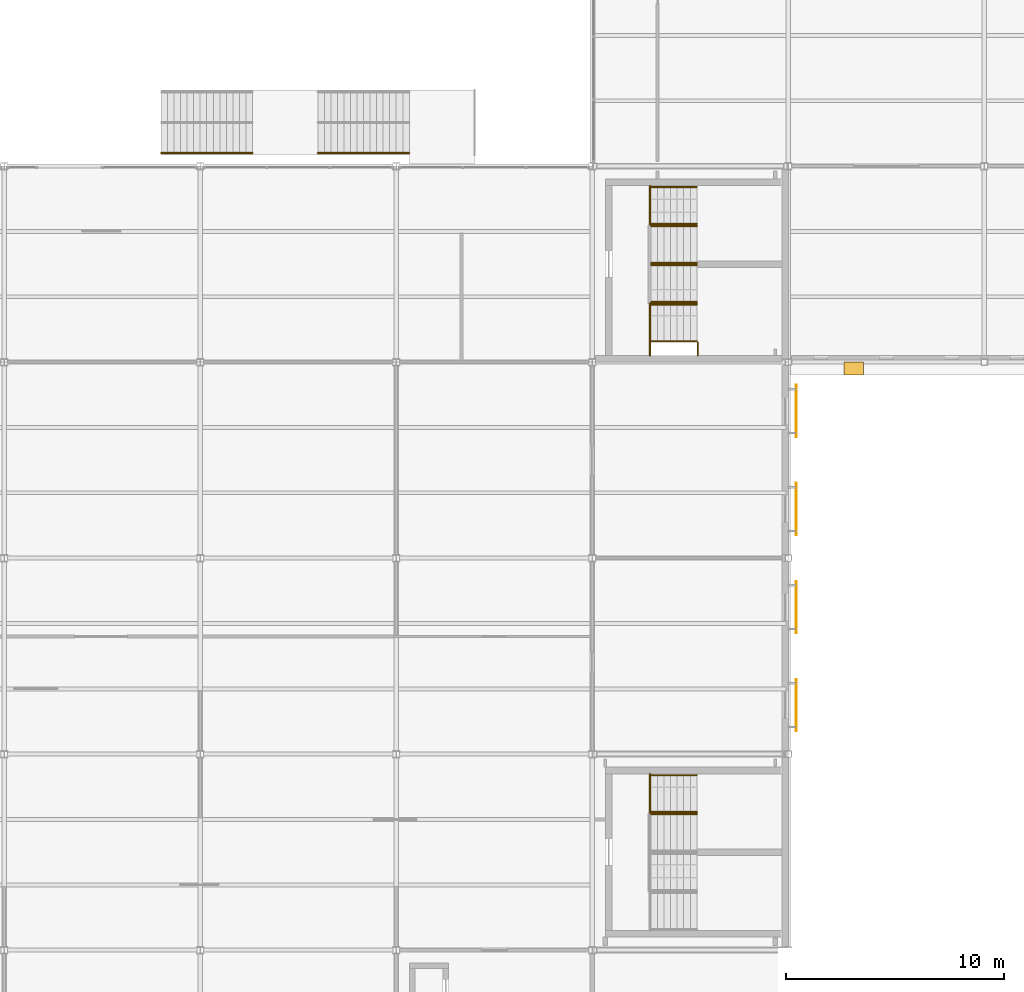
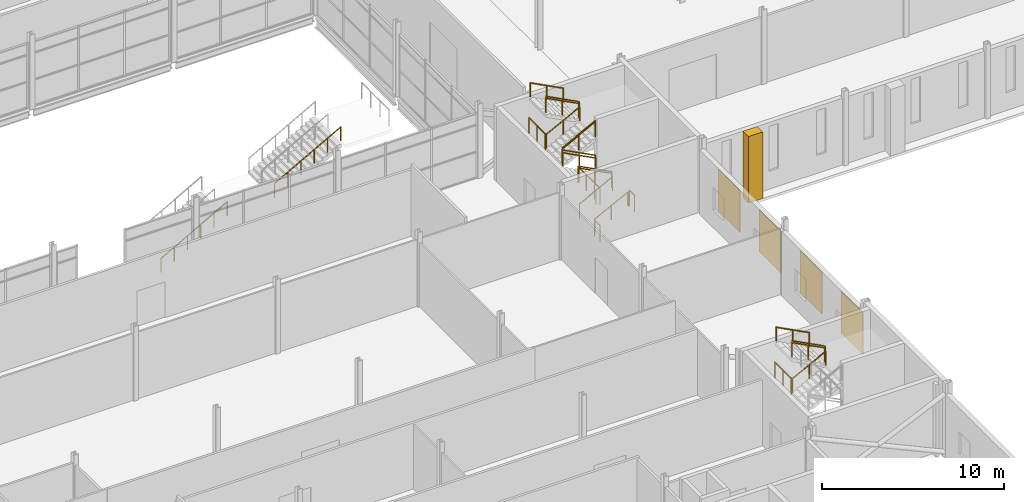
# One storey, part 108 of 112: 24 railings, 5 shading devices.
"""IFC4 building model written with IfcOpenShell, lengths in metres."""

from ifc_helpers import new_model, si_unit, direction, frame, origin, origin_2d, place, context, subcontext, project, spatial, rectangle, circle, extrude, material, layer, layer_set, type_object, element, save


model = new_model("IFC4")

# Units and contexts
model_context = context("Model", 3, precision=1e-05, world=origin(), true_north=direction((0.0, 1.0)))
body_context = subcontext(model_context, "Body", "Model", "MODEL_VIEW")
ifc_project = project(units=[si_unit("LENGTHUNIT", "METRE"), si_unit("AREAUNIT", "SQUARE_METRE"), si_unit("VOLUMEUNIT", "CUBIC_METRE"), si_unit("PLANEANGLEUNIT", "RADIAN"), si_unit("MASSUNIT", "GRAM", prefix="KILO")], contexts=[model_context])

# Site, building, storey
site_placement = place(None, origin())
site = spatial("IfcSite", under=ifc_project, at=site_placement, CompositionType="ELEMENT")
building_placement = place(site_placement, origin())
building = spatial("IfcBuilding", under=site, at=building_placement, Name="Shorebreak Coast Museum", CompositionType="ELEMENT")
storey_placement = place(building_placement, frame((0.0, 0.0, 6.0)))
storey = spatial("IfcBuildingStorey", under=building, at=storey_placement, Name="L01", CompositionType="ELEMENT", Elevation=6.0)

# Railings
ifc_material_1 = material(Name="Steel Grade 300", Category="steel")
railing_type_1 = type_object("IfcRailingType", Name="Feature stair handrail 950", PredefinedType="HANDRAIL", material=ifc_material_1)
railing_1_placement = place(storey_placement, frame((88.199951171875, 63.60009765625, 0.166748046875)))
element("IfcRailing", 1, at=railing_1_placement, inside=storey, type_object=railing_type_1, Name="Handrail feature stair flight 3S", PredefinedType="HANDRAIL", context=body_context, shape_type="SweptSolid", body=[
    extrude(circle(Radius=0.02490234375, at=origin_2d()), frame((0.0, 0.0, 0.9248046875), z_axis=(0.874162069901, 0.0, 0.485634302275), x_axis=(0.0, 1.0, 0.0)), (0.0, 0.0, 1.0), 4.804443359375),
    extrude(circle(Radius=0.02001953125, at=origin_2d()), origin(), (0.0, 0.0, 1.0), 0.89990234375),
    extrude(circle(Radius=0.02001953125, at=origin_2d()), frame((0.840087890625, 0.0, 0.466552734375)), (0.0, 0.0, 1.0), 0.89990234375),
    extrude(circle(Radius=0.02001953125, at=origin_2d()), frame((1.679931640625, 0.0, 0.933349609375)), (0.0, 0.0, 1.0), 0.89990234375),
    extrude(circle(Radius=0.02001953125, at=origin_2d()), frame((2.52001953125, 0.0, 1.39990234375)), (0.0, 0.0, 1.0), 0.89990234375),
    extrude(circle(Radius=0.02001953125, at=origin_2d()), frame((3.35986328125, 0.0, 1.86669921875)), (0.0, 0.0, 1.0), 0.89990234375),
    extrude(circle(Radius=0.02001953125, at=origin_2d()), frame((4.199951171875, 0.0, 2.333251953125)), (0.0, 0.0, 1.0), 0.89990234375),
])
railing_2_placement = place(storey_placement, frame((95.39990234375, 63.60009765625, 2.666748046875)))
element("IfcRailing", 2, at=railing_2_placement, inside=storey, type_object=railing_type_1, Name="Handrail feature stair flight 4S", PredefinedType="HANDRAIL", context=body_context, shape_type="SweptSolid", body=[
    extrude(circle(Radius=0.02490234375, at=origin_2d()), frame((0.0, 0.0, 0.9248046875), z_axis=(0.874174053232, 0.0, 0.485612731152), x_axis=(0.0, 1.0, 0.0)), (0.0, 0.0, 1.0), 4.8046875),
    extrude(circle(Radius=0.02001953125, at=origin_2d()), origin(), (0.0, 0.0, 1.0), 0.89990234375),
    extrude(circle(Radius=0.02001953125, at=origin_2d()), frame((0.840087890625, 0.0, 0.466552734375)), (0.0, 0.0, 1.0), 0.89990234375),
    extrude(circle(Radius=0.02001953125, at=origin_2d()), frame((1.68017578125, 0.0, 0.933349609375)), (0.0, 0.0, 1.0), 0.89990234375),
    extrude(circle(Radius=0.02001953125, at=origin_2d()), frame((2.52001953125, 0.0, 1.39990234375)), (0.0, 0.0, 1.0), 0.89990234375),
    extrude(circle(Radius=0.02001953125, at=origin_2d()), frame((3.360107421875, 0.0, 1.86669921875)), (0.0, 0.0, 1.0), 0.89990234375),
    extrude(circle(Radius=0.02001953125, at=origin_2d()), frame((4.2001953125, 0.0, 2.333251953125)), (0.0, 0.0, 1.0), 0.89990234375),
])

# Shading devices
ifc_material_2 = material(Name="Aluminium", Category="aluminium")
ifc_layer_1 = layer(ifc_material_2, 0.0400390625)
ifc_layer_set_1 = layer_set([ifc_layer_1], Name="Aluminium")
shading_device_type_1 = type_object("IfcShadingDeviceType", Name="Perforated aluminium screen 2400 x 2800", PredefinedType="USERDEFINED", material=ifc_layer_set_1)
for number, where, z_axis, x_axis, name in (
    (3, (117.3701171875, 38.25, 0.5498046875), (0.0, 0.0, 1.0), (1.0, 0.0, 0.0), "Perforated screen L01 E3"),
    (4, (117.3701171875, 42.75, 0.5498046875), (0.0, 0.0, 1.0), (1.0, 0.0, 0.0), "Perforated screen L01 E4"),
    (5, (117.3701171875, 47.25, 0.5498046875), (0.0, 0.0, 1.0), (1.0, 0.0, 0.0), "Perforated screen L01 E5"),
    (6, (117.3701171875, 51.75, 0.5498046875), (0.0, 0.0, 1.0), (1.0, 0.0, 0.0), "Perforated screen L01 E6"),
):
    element("IfcShadingDevice", number, at=place(storey_placement, frame(where, z_axis=z_axis, x_axis=x_axis)), inside=storey, type_object=shading_device_type_1, Name=name, ObjectType="LOUVRE", PredefinedType="USERDEFINED", context=body_context, shape_type="SweptSolid", body=[
        extrude(rectangle(XDim=0.0400390625, YDim=2.39990234375, at=origin_2d()), origin(), (0.0, 0.0, 1.0), 2.800048828125),
    ])
ifc_material_3 = material(Name="Precast concrete C40/50", Category="concrete")
ifc_layer_2 = layer(ifc_material_3, 0.89990234375)
ifc_layer_set_2 = layer_set([ifc_layer_2], Name="Precast concrete C40/50")
shading_device_type_2 = type_object("IfcShadingDeviceType", Name="Precast rib 900 x 600", PredefinedType="USERDEFINED", material=ifc_layer_set_2)
shading_device_placement = place(storey_placement, frame((120.0, 53.699951171875, 0.0), z_axis=(0.0, 0.0, 1.0), x_axis=(1.0, 0.0, 0.0)))
element("IfcShadingDevice", 7, at=shading_device_placement, inside=storey, type_object=shading_device_type_2, Name="Precast rib L01 S6", ObjectType="FIN", PredefinedType="USERDEFINED", context=body_context, shape_type="SweptSolid", body=[
    extrude(rectangle(XDim=0.89990234375, YDim=0.60009765625, at=origin_2d()), origin(), (0.0, 0.0, 1.0), 4.469482421875),
])

# Railings
ifc_material_4 = material(Name="Steel Grade 300", Category="steel")
railing_type_2 = type_object("IfcRailingType", Name="Stair guard 1100", PredefinedType="GUARDRAIL", material=ifc_material_4)
for number, where, name in (
    (8, (110.64990234375, 54.89990234375, 2.5), "Guard ST02 L01 landing mid1"),
    (9, (110.64990234375, 60.300048828125, 2.5), "Guard ST02 L01 landing mid1"),
):
    element("IfcRailing", number, at=place(storey_placement, frame(where)), inside=storey, type_object=railing_type_2, Name=name, PredefinedType="GUARDRAIL", context=body_context, shape_type="SweptSolid", body=[
        extrude(circle(Radius=0.02490234375, at=origin_2d()), frame((0.0, 0.0, 1.0751953125), z_axis=(0.0, 1.0, 0.0), x_axis=(-1.0, 0.0, 0.0)), (0.0, 0.0, 1.0), 1.800048828125),
        extrude(circle(Radius=0.02001953125, at=origin_2d()), origin(), (0.0, 0.0, 1.0), 1.050048828125),
        extrude(circle(Radius=0.02001953125, at=origin_2d()), frame((0.0, 0.89990234375, 0.0)), (0.0, 0.0, 1.0), 1.050048828125),
        extrude(circle(Radius=0.02001953125, at=origin_2d()), frame((0.0, 1.800048828125, 0.0)), (0.0, 0.0, 1.0), 1.050048828125),
    ])
for number, where, name in (
    (10, (110.64990234375, 54.300048828125, 0.0), "Guard ST02 L01 landing strip"),
    (11, (110.64990234375, 54.300048828125, 2.5), "Guard ST02 L01 landing strip"),
    (12, (112.85009765625, 54.300048828125, 1.25), "Guard ST02 L01 landing strip"),
):
    element("IfcRailing", number, at=place(storey_placement, frame(where)), inside=storey, type_object=railing_type_2, Name=name, PredefinedType="GUARDRAIL", context=body_context, shape_type="SweptSolid", body=[
        extrude(circle(Radius=0.02490234375, at=origin_2d()), frame((0.0, 0.0, 1.0751953125), z_axis=(0.0, 1.0, 0.0), x_axis=(-1.0, 0.0, 0.0)), (0.0, 0.0, 1.0), 0.599853515625),
        extrude(circle(Radius=0.02001953125, at=origin_2d()), origin(), (0.0, 0.0, 1.0), 1.050048828125),
        extrude(circle(Radius=0.02001953125, at=origin_2d()), frame((0.0, 0.599853515625, 0.0)), (0.0, 0.0, 1.0), 1.050048828125),
    ])
for number, where, name in (
    (13, (112.800048828125, 56.699951171875, 1.40625), "Guard ST02-L01 well 1"),
    (14, (112.800048828125, 60.300048828125, 3.90625), "Guard ST02-L01 well 2"),
    (15, (112.800048828125, 58.5, 1.40625), "Guard ST02-L01 side 1"),
):
    element("IfcRailing", number, at=place(storey_placement, frame(where)), inside=storey, type_object=railing_type_2, Name=name, PredefinedType="GUARDRAIL", context=body_context, shape_type="SweptSolid", body=[
        extrude(circle(Radius=0.02490234375, at=origin_2d()), frame((0.0, 0.0, 1.0751953125), z_axis=(-0.8869228845, 0.0, 0.461917521804), x_axis=(0.0, -1.0, 0.0)), (0.0, 0.0, 1.0), 2.367919921875),
        extrude(circle(Radius=0.02001953125, at=origin_2d()), origin(), (0.0, 0.0, 1.0), 1.050048828125),
        extrude(circle(Radius=0.02001953125, at=origin_2d()), frame((-1.050048828125, 0.0, 0.546875)), (0.0, 0.0, 1.0), 1.050048828125),
        extrude(circle(Radius=0.02001953125, at=origin_2d()), frame((-2.10009765625, 0.0, 1.09375)), (0.0, 0.0, 1.0), 1.050048828125),
    ])
railing_3_placement = place(storey_placement, frame((110.699951171875, 58.5, 2.65625)))
element("IfcRailing", 16, at=railing_3_placement, inside=storey, type_object=railing_type_2, Name="Guard ST02-L01 side 2", PredefinedType="GUARDRAIL", context=body_context, shape_type="SweptSolid", body=[
    extrude(circle(Radius=0.02490234375, at=origin_2d()), frame((0.0, 0.0, 1.0751953125), z_axis=(0.8869228845, 0.0, 0.461917521804), x_axis=(0.0, 1.0, 0.0)), (0.0, 0.0, 1.0), 2.367919921875),
    extrude(circle(Radius=0.02001953125, at=origin_2d()), origin(), (0.0, 0.0, 1.0), 1.050048828125),
    extrude(circle(Radius=0.02001953125, at=origin_2d()), frame((1.050048828125, 0.0, 0.546875)), (0.0, 0.0, 1.0), 1.050048828125),
    extrude(circle(Radius=0.02001953125, at=origin_2d()), frame((2.10009765625, 0.0, 1.09375)), (0.0, 0.0, 1.0), 1.050048828125),
])
railing_4_placement = place(storey_placement, frame((110.64990234375, 33.300048828125, 2.5)))
element("IfcRailing", 17, at=railing_4_placement, inside=storey, type_object=railing_type_2, Name="Guard ST14 L01 landing mid1", PredefinedType="GUARDRAIL", context=body_context, shape_type="SweptSolid", body=[
    extrude(circle(Radius=0.02490234375, at=origin_2d()), frame((0.0, 0.0, 1.0751953125), z_axis=(0.0, 1.0, 0.0), x_axis=(-1.0, 0.0, 0.0)), (0.0, 0.0, 1.0), 1.800048828125),
    extrude(circle(Radius=0.02001953125, at=origin_2d()), origin(), (0.0, 0.0, 1.0), 1.050048828125),
    extrude(circle(Radius=0.02001953125, at=origin_2d()), frame((0.0, 0.89990234375, 0.0)), (0.0, 0.0, 1.0), 1.050048828125),
    extrude(circle(Radius=0.02001953125, at=origin_2d()), frame((0.0, 1.800048828125, 0.0)), (0.0, 0.0, 1.0), 1.050048828125),
])
railing_5_placement = place(storey_placement, frame((112.800048828125, 33.300048828125, 3.90625)))
element("IfcRailing", 18, at=railing_5_placement, inside=storey, type_object=railing_type_2, Name="Guard ST14-L01 well 2", PredefinedType="GUARDRAIL", context=body_context, shape_type="SweptSolid", body=[
    extrude(circle(Radius=0.02490234375, at=origin_2d()), frame((0.0, 0.0, 1.0751953125), z_axis=(-0.8869228845, 0.0, 0.461917521804), x_axis=(0.0, -1.0, 0.0)), (0.0, 0.0, 1.0), 2.367919921875),
    extrude(circle(Radius=0.02001953125, at=origin_2d()), origin(), (0.0, 0.0, 1.0), 1.050048828125),
    extrude(circle(Radius=0.02001953125, at=origin_2d()), frame((-1.050048828125, 0.0, 0.546875)), (0.0, 0.0, 1.0), 1.050048828125),
    extrude(circle(Radius=0.02001953125, at=origin_2d()), frame((-2.10009765625, 0.0, 1.09375)), (0.0, 0.0, 1.0), 1.050048828125),
])
ifc_material_5 = material(Name="Steel Grade 300", Category="steel")
railing_type_3 = type_object("IfcRailingType", Name="Stair handrail 950", PredefinedType="HANDRAIL", material=ifc_material_5)
for number, where, name in (
    (19, (110.699951171875, 54.9599609375, 0.15625), "Handrail ST02-L01 flight 1a"),
    (20, (110.699951171875, 56.639892578125, 0.15625), "Handrail ST02-L01 flight 1b"),
):
    element("IfcRailing", number, at=place(storey_placement, frame(where)), inside=storey, type_object=railing_type_3, Name=name, PredefinedType="HANDRAIL", context=body_context, shape_type="SweptSolid", body=[
        extrude(circle(Radius=0.02490234375, at=origin_2d()), frame((0.0, 0.0, 0.9248046875), z_axis=(0.8869228845, 0.0, 0.461917521804), x_axis=(0.0, 1.0, 0.0)), (0.0, 0.0, 1.0), 2.367919921875),
        extrude(circle(Radius=0.02001953125, at=origin_2d()), origin(), (0.0, 0.0, 1.0), 0.89990234375),
        extrude(circle(Radius=0.02001953125, at=origin_2d()), frame((1.050048828125, 0.0, 0.546875)), (0.0, 0.0, 1.0), 0.89990234375),
        extrude(circle(Radius=0.02001953125, at=origin_2d()), frame((2.10009765625, 0.0, 1.09375)), (0.0, 0.0, 1.0), 0.89990234375),
    ])
for number, where, name in (
    (21, (112.800048828125, 56.760009765625, 1.40625), "Handrail ST02-L01 flight 2a"),
    (22, (112.800048828125, 58.43994140625, 1.40625), "Handrail ST02-L01 flight 2b"),
):
    element("IfcRailing", number, at=place(storey_placement, frame(where)), inside=storey, type_object=railing_type_3, Name=name, PredefinedType="HANDRAIL", context=body_context, shape_type="SweptSolid", body=[
        extrude(circle(Radius=0.02490234375, at=origin_2d()), frame((0.0, 0.0, 0.9248046875), z_axis=(-0.8869228845, 0.0, 0.461917521804), x_axis=(0.0, -1.0, 0.0)), (0.0, 0.0, 1.0), 2.367919921875),
        extrude(circle(Radius=0.02001953125, at=origin_2d()), origin(), (0.0, 0.0, 1.0), 0.89990234375),
        extrude(circle(Radius=0.02001953125, at=origin_2d()), frame((-1.050048828125, 0.0, 0.546875)), (0.0, 0.0, 1.0), 0.89990234375),
        extrude(circle(Radius=0.02001953125, at=origin_2d()), frame((-2.10009765625, 0.0, 1.09375)), (0.0, 0.0, 1.0), 0.89990234375),
    ])
for number, where, name in (
    (23, (110.699951171875, 58.56005859375, 2.65625), "Handrail ST02-L01 flight 3a"),
    (24, (110.699951171875, 60.239990234375, 2.65625), "Handrail ST02-L01 flight 3b"),
):
    element("IfcRailing", number, at=place(storey_placement, frame(where)), inside=storey, type_object=railing_type_3, Name=name, PredefinedType="HANDRAIL", context=body_context, shape_type="SweptSolid", body=[
        extrude(circle(Radius=0.02490234375, at=origin_2d()), frame((0.0, 0.0, 0.9248046875), z_axis=(0.8869228845, 0.0, 0.461917521804), x_axis=(0.0, 1.0, 0.0)), (0.0, 0.0, 1.0), 2.367919921875),
        extrude(circle(Radius=0.02001953125, at=origin_2d()), origin(), (0.0, 0.0, 1.0), 0.89990234375),
        extrude(circle(Radius=0.02001953125, at=origin_2d()), frame((1.050048828125, 0.0, 0.546875)), (0.0, 0.0, 1.0), 0.89990234375),
        extrude(circle(Radius=0.02001953125, at=origin_2d()), frame((2.10009765625, 0.0, 1.09375)), (0.0, 0.0, 1.0), 0.89990234375),
    ])
for number, where, name in (
    (25, (112.800048828125, 60.360107421875, 3.90625), "Handrail ST02-L01 flight 4a"),
    (26, (112.800048828125, 62.0400390625, 3.90625), "Handrail ST02-L01 flight 4b"),
):
    element("IfcRailing", number, at=place(storey_placement, frame(where)), inside=storey, type_object=railing_type_3, Name=name, PredefinedType="HANDRAIL", context=body_context, shape_type="SweptSolid", body=[
        extrude(circle(Radius=0.02490234375, at=origin_2d()), frame((0.0, 0.0, 0.9248046875), z_axis=(-0.8869228845, 0.0, 0.461917521804), x_axis=(0.0, -1.0, 0.0)), (0.0, 0.0, 1.0), 2.367919921875),
        extrude(circle(Radius=0.02001953125, at=origin_2d()), origin(), (0.0, 0.0, 1.0), 0.89990234375),
        extrude(circle(Radius=0.02001953125, at=origin_2d()), frame((-1.050048828125, 0.0, 0.546875)), (0.0, 0.0, 1.0), 0.89990234375),
        extrude(circle(Radius=0.02001953125, at=origin_2d()), frame((-2.10009765625, 0.0, 1.09375)), (0.0, 0.0, 1.0), 0.89990234375),
    ])
railing_6_placement = place(storey_placement, frame((110.699951171875, 33.239990234375, 2.65625)))
element("IfcRailing", 27, at=railing_6_placement, inside=storey, type_object=railing_type_3, Name="Handrail ST14-L01 flight 3b", PredefinedType="HANDRAIL", context=body_context, shape_type="SweptSolid", body=[
    extrude(circle(Radius=0.02490234375, at=origin_2d()), frame((0.0, 0.0, 0.9248046875), z_axis=(0.8869228845, 0.0, 0.461917521804), x_axis=(0.0, 1.0, 0.0)), (0.0, 0.0, 1.0), 2.367919921875),
    extrude(circle(Radius=0.02001953125, at=origin_2d()), origin(), (0.0, 0.0, 1.0), 0.89990234375),
    extrude(circle(Radius=0.02001953125, at=origin_2d()), frame((1.050048828125, 0.0, 0.546875)), (0.0, 0.0, 1.0), 0.89990234375),
    extrude(circle(Radius=0.02001953125, at=origin_2d()), frame((2.10009765625, 0.0, 1.09375)), (0.0, 0.0, 1.0), 0.89990234375),
])
for number, where, name in (
    (28, (112.800048828125, 33.360107421875, 3.90625), "Handrail ST14-L01 flight 4a"),
    (29, (112.800048828125, 35.0400390625, 3.90625), "Handrail ST14-L01 flight 4b"),
):
    element("IfcRailing", number, at=place(storey_placement, frame(where)), inside=storey, type_object=railing_type_3, Name=name, PredefinedType="HANDRAIL", context=body_context, shape_type="SweptSolid", body=[
        extrude(circle(Radius=0.02490234375, at=origin_2d()), frame((0.0, 0.0, 0.9248046875), z_axis=(-0.8869228845, 0.0, 0.461917521804), x_axis=(0.0, -1.0, 0.0)), (0.0, 0.0, 1.0), 2.367919921875),
        extrude(circle(Radius=0.02001953125, at=origin_2d()), origin(), (0.0, 0.0, 1.0), 0.89990234375),
        extrude(circle(Radius=0.02001953125, at=origin_2d()), frame((-1.050048828125, 0.0, 0.546875)), (0.0, 0.0, 1.0), 0.89990234375),
        extrude(circle(Radius=0.02001953125, at=origin_2d()), frame((-2.10009765625, 0.0, 1.09375)), (0.0, 0.0, 1.0), 0.89990234375),
    ])

save(model, "model.ifc")
